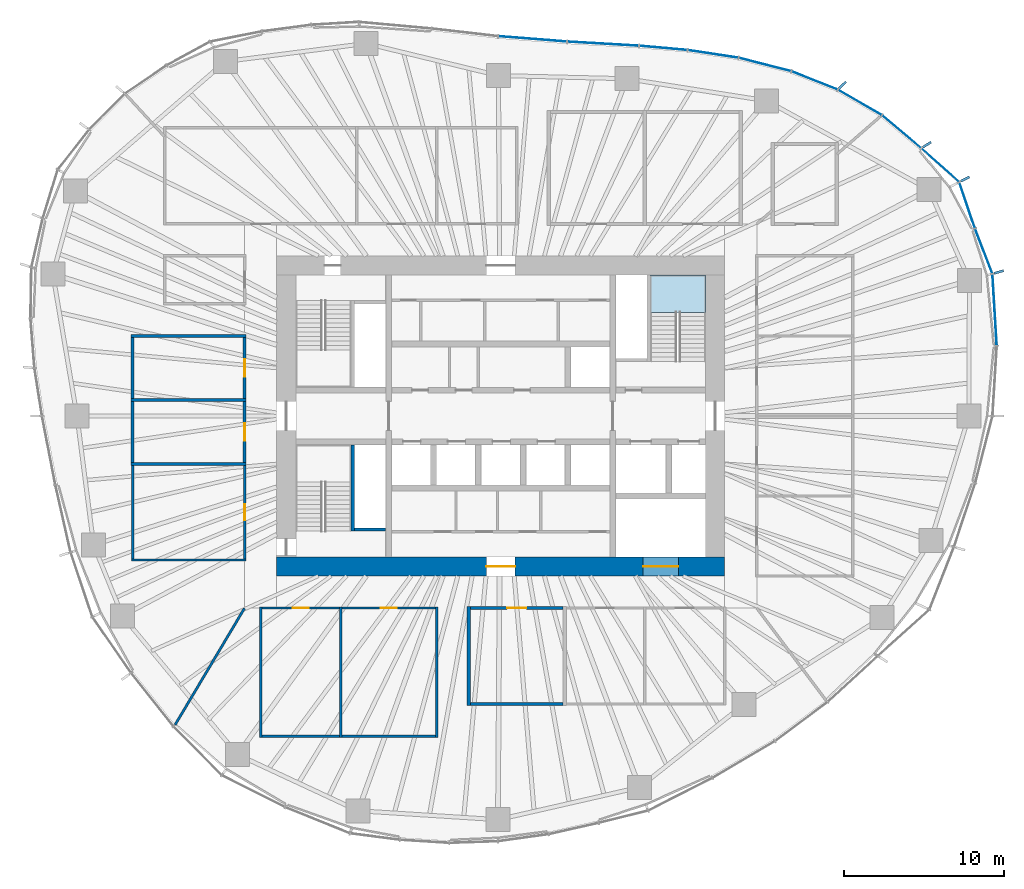
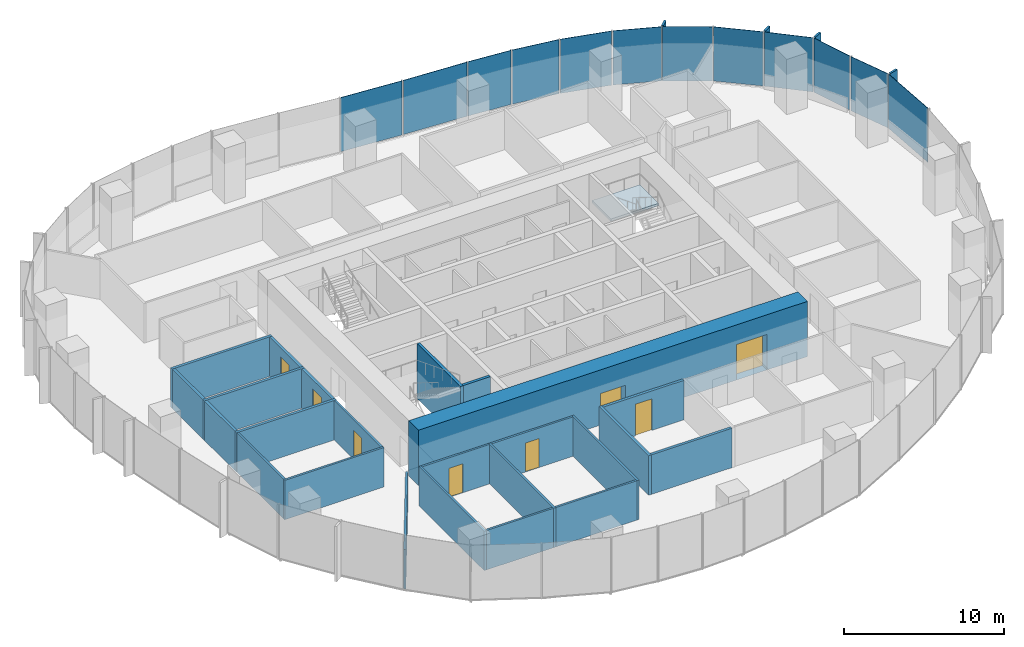
# One storey, part 8 of 18: 24 walls, 16 plates, 8 doors, 1 slab, 8 openings, 6 elements without a shape of their own.
"""IFC4 building model written with IfcOpenShell, lengths in metres."""

import ifcopenshell
import ifcopenshell.guid

model = None  # the IFC model being written
_history = None  # IfcOwnerHistory: only IFC2X3 demands one
_inside = {}  # id of a spatial element -> (the spatial element, [elements in it])
_under = {}  # id of a project, library or spatial element -> (it, [spatial elements below it])
_declared = {}  # id of a project -> (the project, [libraries it declares])
_typed = {}  # id of a type object -> (the type object, [elements of that type])
_made_of = {}  # id of a material, layer set ... -> (it, [elements and type objects made of it])


def new_model(schema):
    """Start an empty IFC model of exactly this schema.

    Asked for "IFC4X3", IfcOpenShell would pick the latest addendum, in which some entities
    have other attributes; the version numbers below select the first issue.
    IFC2X3 requires an IfcOwnerHistory on every rooted entity: one is made here for all.
    """
    global model, _history
    if schema == "IFC4X3":
        model = ifcopenshell.file(schema_version=(4, 3, 0, 0))
    else:
        model = ifcopenshell.file(schema=schema)
    _inside.clear()
    _under.clear()
    _declared.clear()
    _typed.clear()
    _made_of.clear()
    _history = None
    if model.schema == "IFC2X3":
        org = make("IfcOrganization", Name="unknown")
        user = make(
            "IfcPersonAndOrganization",
            ThePerson=make("IfcPerson", FamilyName="unknown"),
            TheOrganization=org,
        )
        app = make(
            "IfcApplication",
            ApplicationDeveloper=org,
            Version="unknown",
            ApplicationFullName="unknown",
            ApplicationIdentifier="unknown",
        )
        _history = make(
            "IfcOwnerHistory",
            OwningUser=user,
            OwningApplication=app,
            ChangeAction="ADDED",
            CreationDate=0,
        )
    return model


def make(cls, **values):
    """One entity of the class cls with the attributes given. An attribute that is None is left unset."""
    return model.create_entity(
        cls, **{name: value for name, value in values.items() if value is not None}
    )


def rooted(cls, **values):
    """An entity with a GlobalId (a new one), such as an element, a storey or a relation."""
    return make(cls, GlobalId=ifcopenshell.guid.new(), OwnerHistory=_history, **values)


def si_unit(unit_type, name, prefix=None):
    """IfcSIUnit, for example si_unit("LENGTHUNIT", "METRE", prefix="MILLI")."""
    return make("IfcSIUnit", UnitType=unit_type, Prefix=prefix, Name=name)


def assignment(units):
    """IfcUnitAssignment: the units of a project."""
    return None if units is None else make("IfcUnitAssignment", Units=units)


def point(xyz):
    """IfcCartesianPoint."""
    return None if xyz is None else make("IfcCartesianPoint", Coordinates=xyz)


def direction(xyz):
    """IfcDirection."""
    return None if xyz is None else make("IfcDirection", DirectionRatios=xyz)


def frame(location, z_axis=None, x_axis=None):
    """IfcAxis2Placement3D, a coordinate frame: its origin and axes. An axis left out is left unset."""
    return make(
        "IfcAxis2Placement3D",
        Location=point(location),
        Axis=direction(z_axis),
        RefDirection=direction(x_axis),
    )


def frame_2d(location, x_axis=None):
    """IfcAxis2Placement2D, a coordinate frame in the plane: its origin and x axis."""
    return make(
        "IfcAxis2Placement2D", Location=point(location), RefDirection=direction(x_axis)
    )


def origin():
    """The frame at (0, 0, 0) with its axes left unset."""
    return frame((0.0, 0.0, 0.0))


def origin_2d():
    """The frame at (0, 0) in the plane with its x axis left unset."""
    return frame_2d((0.0, 0.0))


def place(relative_to, where):
    """IfcLocalPlacement: puts the frame where relative to a parent placement (None: the world)."""
    return make(
        "IfcLocalPlacement", PlacementRelTo=relative_to, RelativePlacement=where
    )


def context(
    kind, dimensions, precision=None, world=None, true_north=None, identifier=None
):
    """IfcGeometricRepresentationContext, for example the 3D "Model" context."""
    return make(
        "IfcGeometricRepresentationContext",
        ContextIdentifier=identifier,
        ContextType=kind,
        CoordinateSpaceDimension=dimensions,
        Precision=precision,
        WorldCoordinateSystem=world,
        TrueNorth=true_north,
    )


def subcontext(parent, identifier, kind, view, scale=None):
    """IfcGeometricRepresentationSubContext, for example "Body" below "Model"."""
    return make(
        "IfcGeometricRepresentationSubContext",
        ContextIdentifier=identifier,
        ContextType=kind,
        ParentContext=parent,
        TargetScale=scale,
        TargetView=view,
    )


def project(units=None, contexts=None):
    """IfcProject with its units and contexts."""
    return rooted(
        "IfcProject",
        Name="project",
        RepresentationContexts=contexts,
        UnitsInContext=assignment(units),
    )


def spatial(cls, under=None, at=None, **own):
    """A site, building, storey or space (cls), placed at a placement, below another one or the project."""
    s = rooted(cls, ObjectPlacement=at, **own)
    if under is not None:
        _under.setdefault(under.id(), (under, []))[1].append(s)
    return s


def polyline(points):
    """IfcPolyline through the points."""
    return make("IfcPolyline", Points=[point(p) for p in points])


def profile(cls, at=None, kind="AREA", **sizes):
    """A parametric profile (cls). Its sizes go by their IFC names, for example OverallWidth=200.0."""
    return make(cls, ProfileType=kind, Position=at, **sizes)


def rectangle(**sizes):
    """IfcRectangleProfileDef."""
    return profile("IfcRectangleProfileDef", **sizes)


def outline(outer, holes=None, kind="AREA"):
    """IfcArbitraryClosedProfileDef: a profile drawn as a closed curve; with holes, ...WithVoids."""
    if holes is None:
        return make("IfcArbitraryClosedProfileDef", ProfileType=kind, OuterCurve=outer)
    return make(
        "IfcArbitraryProfileDefWithVoids",
        ProfileType=kind,
        OuterCurve=outer,
        InnerCurves=holes,
    )


def extrude(swept, where, along, depth):
    """IfcExtrudedAreaSolid: the profile swept, set in the frame where, extruded along a direction by depth."""
    return make(
        "IfcExtrudedAreaSolid",
        SweptArea=swept,
        Position=where,
        ExtrudedDirection=direction(along),
        Depth=depth,
    )


def shape(context_of_items, identifier, shape_type, items):
    """IfcShapeRepresentation: the items that make up one representation, for example the "Body"."""
    return make(
        "IfcShapeRepresentation",
        ContextOfItems=context_of_items,
        RepresentationIdentifier=identifier,
        RepresentationType=shape_type,
        Items=items,
    )


def material(Name=None, Category=None):
    """IfcMaterial."""
    return make("IfcMaterial", Name=Name, Category=Category)


def layer(
    of_material, thickness, ventilated=None, Name=None, Category=None, Priority=None
):
    """IfcMaterialLayer: one layer of a wall or slab, of a material (None: an air gap)."""
    return make(
        "IfcMaterialLayer",
        Material=of_material,
        LayerThickness=thickness,
        IsVentilated=ventilated,
        Name=Name,
        Category=Category,
        Priority=Priority,
    )


def layer_set(layers, Name=None):
    """IfcMaterialLayerSet."""
    return make("IfcMaterialLayerSet", MaterialLayers=layers, LayerSetName=Name)


def made_of(thing, what):
    """Note that an element or type object is made of a material, layer set ...; save() writes the relation."""
    if what is not None:
        _made_of.setdefault(what.id(), (what, []))[1].append(thing)
    return thing


def type_object(cls, material=None, **own):
    """A type object (cls), such as IfcWallType, which elements share."""
    return made_of(rooted(cls, **own), material)


def element(
    cls,
    number,
    at=None,
    inside=None,
    cuts=None,
    type_object=None,
    material=None,
    context=None,
    identifier="Body",
    shape_type=None,
    held_by="IfcProductDefinitionShape",
    body=None,
    shapes=None,
    **own,
):
    """One element of the class cls, such as IfcWall. Its Tag is "e" and its number.

    at: its placement. inside: the storey or other place that contains it. cuts: it is an
    opening in that element (IfcRelVoidsElement). A single representation is given by context,
    identifier, shape_type and body (its items); several are given by shapes. held_by: the class
    of the entity that holds the representations. save() writes the other relations.
    """
    e = rooted(cls, Tag="e%d" % number, ObjectPlacement=at, **own)
    if body is not None:
        shapes = [shape(context, identifier, shape_type, body)]
    if shapes is not None:
        e.Representation = make(held_by, Representations=shapes)
    if inside is not None:
        _inside.setdefault(inside.id(), (inside, []))[1].append(e)
    if cuts is not None:
        rooted(
            "IfcRelVoidsElement", RelatingBuildingElement=cuts, RelatedOpeningElement=e
        )
    if type_object is not None:
        _typed.setdefault(type_object.id(), (type_object, []))[1].append(e)
    return made_of(e, material)


def fill(opening, filler):
    """IfcRelFillsElement: the door or window that sits in an opening."""
    return rooted(
        "IfcRelFillsElement",
        RelatingOpeningElement=opening,
        RelatedBuildingElement=filler,
    )


def aggregate(whole, parts):
    """IfcRelAggregates: a whole, such as a stair, and the parts it consists of."""
    return rooted("IfcRelAggregates", RelatingObject=whole, RelatedObjects=parts)


def save(model, path):
    """Write the relations noted so far, then the file.

    IfcRelAggregates (storeys below a building ...), IfcRelContainedInSpatialStructure (elements
    in a storey), IfcRelDefinesByType, IfcRelAssociatesMaterial and IfcRelDeclares: one each for
    every whole, place, type object, material and project.
    """
    for whole, parts in _under.values():
        aggregate(whole, parts)
    for where, things in _inside.values():
        rooted(
            "IfcRelContainedInSpatialStructure",
            RelatedElements=things,
            RelatingStructure=where,
        )
    for kind, things in _typed.values():
        rooted("IfcRelDefinesByType", RelatedObjects=things, RelatingType=kind)
    for what, things in _made_of.values():
        rooted("IfcRelAssociatesMaterial", RelatedObjects=things, RelatingMaterial=what)
    for by, libraries in _declared.values():
        rooted("IfcRelDeclares", RelatingContext=by, RelatedDefinitions=libraries)
    model.write(path)


model = new_model("IFC4")

# Units and contexts
model_context = context("Model", 3, precision=1e-05, world=origin(), true_north=direction((0.0, 1.0)))
body_context = subcontext(model_context, "Body", "Model", "MODEL_VIEW")
ifc_project = project(units=[si_unit("LENGTHUNIT", "METRE"), si_unit("AREAUNIT", "SQUARE_METRE"), si_unit("VOLUMEUNIT", "CUBIC_METRE"), si_unit("PLANEANGLEUNIT", "RADIAN"), si_unit("MASSUNIT", "GRAM", prefix="KILO")], contexts=[model_context])

# Site, building, storey
site_placement = place(None, origin())
site = spatial("IfcSite", under=ifc_project, at=site_placement, CompositionType="ELEMENT")
building_placement = place(site_placement, origin())
building = spatial("IfcBuilding", under=site, at=building_placement, Name="Ghaith Harvest Tower", CompositionType="ELEMENT")
storey_placement = place(building_placement, frame((0.0, 0.0, 130.199951171875)))
storey = spatial("IfcBuildingStorey", under=building, at=storey_placement, Name="L27", CompositionType="ELEMENT", Elevation=130.199951171875)

# Curtain wall, plate
ifc_material_1 = material(Name="Black anodised aluminium and fritted glass", Category="aluminium")
curtain_wall_type = type_object("IfcCurtainWallType", Name="CW-L CURTAIN WALL", PredefinedType="NOTDEFINED", material=ifc_material_1)
curtain_wall_1_placement = place(storey_placement, origin())
curtain_wall_1 = element("IfcCurtainWall", 1, at=curtain_wall_1_placement, inside=storey, type_object=curtain_wall_type, Name="Curtain wall CW-L bay 01 L27", PredefinedType="NOTDEFINED")
ifc_material_2 = material(Name="Glass, dark solar-control fritted double glazed unit", Category="glass")
ifc_layer_1 = layer(ifc_material_2, 0.031982421875)
ifc_layer_set_1 = layer_set([ifc_layer_1], Name="CW-L VISION PANEL")
plate_type_1 = type_object("IfcPlateType", Name="CW-L VISION PANEL", PredefinedType="CURTAIN_PANEL", material=ifc_layer_set_1)
plate_1_placement = place(storey_placement, frame((30.863037109375, 6.63525390625, 0.080078125), z_axis=(0.0, 0.0, 1.0), x_axis=(-0.060320650032, 0.998179051663, 0.0)))
plate_1 = element("IfcPlate", 2, at=plate_1_placement, type_object=plate_type_1, Name="CW-L glass unit 2 bay 01 L27", PredefinedType="CURTAIN_PANEL", context=body_context, shape_type="SweptSolid", body=[
    extrude(rectangle(XDim=4.419189453125, YDim=0.031982421875, at=origin_2d()), origin(), (0.0, 0.0, 1.0), 4.1201171875),
])
aggregate(curtain_wall_1, [plate_1])

# Curtain wall, plates
curtain_wall_2_placement = place(storey_placement, origin())
curtain_wall_2 = element("IfcCurtainWall", 3, at=curtain_wall_2_placement, inside=storey, type_object=curtain_wall_type, Name="Curtain wall CW-L bay 02 L27", PredefinedType="NOTDEFINED")
plate_2_placement = place(storey_placement, frame((30.180908203125, 10.29833984375, 0.080078125), z_axis=(0.0, 0.0, 1.0), x_axis=(-0.359676824997, 0.933076943001, 0.0)))
plate_2 = element("IfcPlate", 4, at=plate_2_placement, type_object=plate_type_1, Name="CW-L glass unit 1 bay 02 L27", PredefinedType="CURTAIN_PANEL", context=body_context, shape_type="SweptSolid", body=[
    extrude(rectangle(XDim=2.95849609375, YDim=0.031982421875, at=origin_2d()), origin(), (0.0, 0.0, 1.0), 4.1201171875),
])
plate_3_placement = place(storey_placement, frame((29.142333984375, 13.163818359375, 0.080078125), z_axis=(0.0, 0.0, 1.0), x_axis=(-0.321853304376, 0.946789549194, 0.0)))
plate_3 = element("IfcPlate", 5, at=plate_3_placement, type_object=plate_type_1, Name="CW-L glass unit 2 bay 02 L27", PredefinedType="CURTAIN_PANEL", context=body_context, shape_type="SweptSolid", body=[
    extrude(rectangle(XDim=2.978759765625, YDim=0.031982421875, at=origin_2d()), origin(), (0.0, 0.0, 1.0), 4.1201171875),
])
plate_4_placement = place(storey_placement, frame((27.46533203125, 15.668701171875, 0.080078125), z_axis=(0.0, 0.0, 1.0), x_axis=(-0.746250544556, 0.665665174656, 0.0)))
plate_4 = element("IfcPlate", 6, at=plate_4_placement, type_object=plate_type_1, Name="CW-L glass unit 3 bay 02 L27", PredefinedType="CURTAIN_PANEL", context=body_context, shape_type="SweptSolid", body=[
    extrude(rectangle(XDim=3.094970703125, YDim=0.031982421875, at=origin_2d()), origin(), (0.0, 0.0, 1.0), 4.1201171875),
])
aggregate(curtain_wall_2, [plate_2, plate_3, plate_4])

curtain_wall_3_placement = place(storey_placement, origin())
curtain_wall_3 = element("IfcCurtainWall", 7, at=curtain_wall_3_placement, inside=storey, type_object=curtain_wall_type, Name="Curtain wall CW-L bay 03 L27", PredefinedType="NOTDEFINED")
plate_5_placement = place(storey_placement, frame((25.05126953125, 17.7587890625, 0.080078125), z_axis=(0.0, 0.0, 1.0), x_axis=(-0.765473064857, 0.643467937801, 0.0)))
plate_5 = element("IfcPlate", 8, at=plate_5_placement, type_object=plate_type_1, Name="CW-L glass unit 1 bay 03 L27", PredefinedType="CURTAIN_PANEL", context=body_context, shape_type="SweptSolid", body=[
    extrude(rectangle(XDim=3.13232421875, YDim=0.031982421875, at=origin_2d()), origin(), (0.0, 0.0, 1.0), 4.1201171875),
])
plate_6_placement = place(storey_placement, frame((22.444091796875, 19.590576171875, 0.080078125), z_axis=(0.0, 0.0, 1.0), x_axis=(-0.865232087993, 0.501371552751, 0.0)))
plate_6 = element("IfcPlate", 9, at=plate_6_placement, type_object=plate_type_1, Name="CW-L glass unit 2 bay 03 L27", PredefinedType="CURTAIN_PANEL", context=body_context, shape_type="SweptSolid", body=[
    extrude(rectangle(XDim=3.10498046875, YDim=0.031982421875, at=origin_2d()), origin(), (0.0, 0.0, 1.0), 4.1201171875),
])
plate_7_placement = place(storey_placement, frame((19.6142578125, 20.963623046875, 0.080078125), z_axis=(0.0, 0.0, 1.0), x_axis=(-0.929876534019, 0.367871759558, 0.0)))
plate_7 = element("IfcPlate", 10, at=plate_7_placement, type_object=plate_type_1, Name="CW-L glass unit 3 bay 03 L27", PredefinedType="CURTAIN_PANEL", context=body_context, shape_type="SweptSolid", body=[
    extrude(rectangle(XDim=3.042724609375, YDim=0.031982421875, at=origin_2d()), origin(), (0.0, 0.0, 1.0), 4.1201171875),
])
aggregate(curtain_wall_3, [plate_5, plate_6, plate_7])

curtain_wall_4_placement = place(storey_placement, origin())
curtain_wall_4 = element("IfcCurtainWall", 11, at=curtain_wall_4_placement, inside=storey, type_object=curtain_wall_type, Name="Curtain wall CW-L bay 04 L27", PredefinedType="NOTDEFINED")
plate_8_placement = place(storey_placement, frame((16.513427734375, 21.958740234375, 0.080078125), z_axis=(0.0, 0.0, 1.0), x_axis=(-0.96893110987, 0.247330758955, 0.0)))
plate_8 = element("IfcPlate", 12, at=plate_8_placement, type_object=plate_type_1, Name="CW-L glass unit 1 bay 04 L27", PredefinedType="CURTAIN_PANEL", context=body_context, shape_type="SweptSolid", body=[
    extrude(rectangle(XDim=3.3232421875, YDim=0.031982421875, at=origin_2d()), origin(), (0.0, 0.0, 1.0), 4.1201171875),
])
plate_9_placement = place(storey_placement, frame((13.2685546875, 22.621826171875, 0.080078125), z_axis=(0.0, 0.0, 1.0), x_axis=(-0.988678736369, 0.150047846542, 0.0)))
plate_9 = element("IfcPlate", 13, at=plate_9_placement, type_object=plate_type_1, Name="CW-L glass unit 2 bay 04 L27", PredefinedType="CURTAIN_PANEL", context=body_context, shape_type="SweptSolid", body=[
    extrude(rectangle(XDim=3.14892578125, YDim=0.031982421875, at=origin_2d()), origin(), (0.0, 0.0, 1.0), 4.1201171875),
])
plate_10_placement = place(storey_placement, frame((10.15966796875, 22.9970703125, 0.080078125), z_axis=(0.0, 0.0, 1.0), x_axis=(-0.996166190972, 0.087480969151, 0.0)))
plate_10 = element("IfcPlate", 14, at=plate_10_placement, type_object=plate_type_1, Name="CW-L glass unit 3 bay 04 L27", PredefinedType="CURTAIN_PANEL", context=body_context, shape_type="SweptSolid", body=[
    extrude(rectangle(XDim=2.957275390625, YDim=0.031982421875, at=origin_2d()), origin(), (0.0, 0.0, 1.0), 4.1201171875),
])
aggregate(curtain_wall_4, [plate_8, plate_9, plate_10])

curtain_wall_5_placement = place(storey_placement, origin())
curtain_wall_5 = element("IfcCurtainWall", 15, at=curtain_wall_5_placement, inside=storey, type_object=curtain_wall_type, Name="Curtain wall CW-L bay 05 L27", PredefinedType="NOTDEFINED")
plate_11_placement = place(storey_placement, frame((6.396728515625, 23.260498046875, 0.080078125), z_axis=(0.0, 0.0, 1.0), x_axis=(-0.998320798751, 0.05792739233, 0.0)))
plate_11 = element("IfcPlate", 16, at=plate_11_placement, type_object=plate_type_1, Name="CW-L glass unit 1 bay 05 L27", PredefinedType="CURTAIN_PANEL", context=body_context, shape_type="SweptSolid", body=[
    extrude(rectangle(XDim=4.427734375, YDim=0.031982421875, at=origin_2d()), origin(), (0.0, 0.0, 1.0), 4.1201171875),
])
plate_12_placement = place(storey_placement, frame((1.9921875, 23.560302734375, 0.080078125), z_axis=(0.0, 0.0, 1.0), x_axis=(-0.996925121312, 0.078360082291, 0.0)))
plate_12 = element("IfcPlate", 17, at=plate_12_placement, type_object=plate_type_1, Name="CW-L glass unit 2 bay 05 L27", PredefinedType="CURTAIN_PANEL", context=body_context, shape_type="SweptSolid", body=[
    extrude(rectangle(XDim=4.242431640625, YDim=0.031982421875, at=origin_2d()), origin(), (0.0, 0.0, 1.0), 4.1201171875),
])
aggregate(curtain_wall_5, [plate_11, plate_12])

# Stair, slab
ifc_material_3 = material(Name="Concrete C40/50, precast", Category="concrete")
stair_type = type_object("IfcStairType", Name="CORE STAIR 24R", PredefinedType="HALF_TURN_STAIR", material=ifc_material_3)
stair_placement = place(storey_placement, origin())
stair = element("IfcStair", 18, at=stair_placement, inside=storey, type_object=stair_type, Name="Stair ST2 L27", PredefinedType="HALF_TURN_STAIR")
ifc_material_4 = material(Name="Concrete C40/50, precast", Category="concrete")
ifc_layer_2 = layer(ifc_material_4, 0.179931640625)
ifc_layer_set_2 = layer_set([ifc_layer_2], Name="STAIR LANDING 180")
slab_type = type_object("IfcSlabType", Name="STAIR LANDING 180", PredefinedType="LANDING", material=ifc_layer_set_2)
slab_placement = place(storey_placement, frame((0.0, 0.0, 1.920166015625)))
slab = element("IfcSlab", 19, at=slab_placement, type_object=slab_type, Name="ST2 landing 1", PredefinedType="LANDING", context=body_context, shape_type="SweptSolid", body=[
    extrude(outline(polyline([(12.800048828125, 6.4599609375), (12.800048828125, 8.800048828125), (9.35009765625, 8.800048828125), (9.35009765625, 6.4599609375), (12.800048828125, 6.4599609375)])), origin(), (0.0, 0.0, 1.0), 0.179931640625),
])
aggregate(stair, [slab])

# Plates
ifc_material_5 = material(Name="Glassfibre-reinforced concrete", Category="concrete")
ifc_layer_3 = layer(ifc_material_5, 0.14990234375)
ifc_layer_set_3 = layer_set([ifc_layer_3], Name="SUN-BREAKER FIN 600x150")
plate_type_2 = type_object("IfcPlateType", Name="SUN-BREAKER FIN 600x150", PredefinedType="USERDEFINED", material=ifc_layer_set_3)
for number, where, z_axis, x_axis, name in (
    (20, (31.130859375, 8.99755859375, 0.0), (0.0, 0.0, 1.0), (0.960680349985, 0.277656739792, 0.0), "Sun-breaker fin CW-L 1 bay 02 L27"),
    (21, (29.024169921875, 14.802734375, 0.0), (0.0, 0.0, 1.0), (0.890830752257, 0.454335306611, 0.0), "Sun-breaker fin CW-L 3 bay 02 L27"),
    (22, (26.635009765625, 16.95068359375, 0.0), (0.0, 0.0, 1.0), (0.843643971464, 0.536903016766, 0.0), "Sun-breaker fin CW-L 1 bay 03 L27"),
    (23, (21.367919921875, 20.68115234375, 0.0), (0.0, 0.0, 1.0), (0.7185589652, 0.69546604053, 0.0), "Sun-breaker fin CW-L 3 bay 03 L27"),
):
    element("IfcPlate", number, at=place(storey_placement, frame(where, z_axis=z_axis, x_axis=x_axis)), inside=storey, type_object=plate_type_2, Name=name, ObjectType="SUN-BREAKER FIN", PredefinedType="USERDEFINED", context=body_context, shape_type="SweptSolid", body=[
        extrude(rectangle(XDim=0.60009765625, YDim=0.14990234375, at=origin_2d()), origin(), (0.0, 0.0, 1.0), 4.199951171875),
    ])

# Wall
ifc_material_6 = material(Name="Twin-stud gypsum board, acoustic", Category="gypsum")
ifc_layer_4 = layer(ifc_material_6, 0.199951171875)
ifc_layer_set_4 = layer_set([ifc_layer_4], Name="ACOUSTIC PARTITION 200")
wall_type_1 = type_object("IfcWallType", Name="ACOUSTIC PARTITION 200", PredefinedType="PARTITIONING", material=ifc_layer_set_4)
wall_1_placement = place(storey_placement, frame((-2.0, -11.89990234375, 0.0), z_axis=(0.0, 0.0, 1.0), x_axis=(0.0, -1.0, 0.0)))
element("IfcWall", 24, at=wall_1_placement, inside=storey, type_object=wall_type_1, Name="Partition L27 row S5 cross wall 1", PredefinedType="PARTITIONING", context=body_context, shape_type="SweptSolid", body=[
    extrude(rectangle(XDim=6.2001953125, YDim=0.199951171875, at=frame_2d((3.10009765625, 0.0))), origin(), (0.0, 0.0, 1.0), 3.0),
])

# Wall, opening, door
wall_2_placement = place(storey_placement, frame((-1.89990234375, -12.0, 0.0), z_axis=(0.0, 0.0, 1.0), x_axis=(1.0, 0.0, 0.0)))
wall_2 = element("IfcWall", 25, at=wall_2_placement, inside=storey, type_object=wall_type_1, Name="Partition L27-12", PredefinedType="PARTITIONING", context=body_context, shape_type="SweptSolid", body=[
    extrude(rectangle(XDim=5.7998046875, YDim=0.199951171875, at=frame_2d((2.89990234375, 0.0))), origin(), (0.0, 0.0, 1.0), 3.0),
])
opening_1_placement = place(wall_2_placement, frame((2.300048828125, 0.0, 0.0)))
opening_1 = element("IfcOpeningElement", 26, at=opening_1_placement, cuts=wall_2, Name="Opening 27-039", PredefinedType="OPENING", context=body_context, shape_type="SweptSolid", body=[
    extrude(rectangle(XDim=1.199951171875, YDim=2.39990234375, at=frame_2d((0.60009765625, 1.199951171875))), frame((0.0, 0.10986328125, 0.0), z_axis=(0.0, -1.0, 0.0), x_axis=(1.0, 0.0, 0.0)), (0.0, 0.0, 1.0), 0.219970703125),
])
ifc_material_7 = material(Name="Timber door", Category="wood")
door_type_1 = type_object("IfcDoorType", Name="D11 GLAZED 1200x2400", OperationType="SINGLE_SWING_LEFT", PredefinedType="DOOR", material=ifc_material_7)
door_1_placement = place(opening_1_placement, origin())
door_1 = element("IfcDoor", 27, at=door_1_placement, inside=storey, type_object=door_type_1, Name="Meeting room door", OperationType="SINGLE_SWING_LEFT", OverallHeight=2.39990234375, OverallWidth=1.199951171875, PredefinedType="DOOR", context=body_context, shape_type="SweptSolid", body=[
    extrude(rectangle(XDim=1.199951171875, YDim=2.39990234375, at=frame_2d((0.60009765625, 1.199951171875))), frame((0.0, 0.02490234375, 0.0), z_axis=(0.0, -1.0, 0.0), x_axis=(1.0, 0.0, 0.0)), (0.0, 0.0, 1.0), 0.050048828125),
])
fill(opening_1, door_1)

# Walls
wall_3_placement = place(storey_placement, frame((-1.89990234375, -18.0, 0.0), z_axis=(0.0, 0.0, 1.0), x_axis=(1.0, 0.0, 0.0)))
element("IfcWall", 28, at=wall_3_placement, inside=storey, type_object=wall_type_1, Name="Partition L27-12", PredefinedType="PARTITIONING", context=body_context, shape_type="SweptSolid", body=[
    extrude(rectangle(XDim=5.7998046875, YDim=0.199951171875, at=frame_2d((2.89990234375, 0.0))), origin(), (0.0, 0.0, 1.0), 3.0),
])
for number, where, z_axis, x_axis, name in (
    (29, (-15.89990234375, -3.0, 0.0), (0.0, 0.0, 1.0), (-1.0, 0.0, 0.0), "Partition L27 row W6 cross wall 2"),
    (30, (-15.89990234375, 1.0, 0.0), (0.0, 0.0, 1.0), (-1.0, 0.0, 0.0), "Partition L27 row W6 cross wall 3"),
    (31, (-15.89990234375, 5.0, 0.0), (0.0, 0.0, 1.0), (-1.0, 0.0, 0.0), "Partition L27 row W6 cross wall 4"),
):
    element("IfcWall", number, at=place(storey_placement, frame(where, z_axis=z_axis, x_axis=x_axis)), inside=storey, type_object=wall_type_1, Name=name, PredefinedType="PARTITIONING", context=body_context, shape_type="SweptSolid", body=[
        extrude(rectangle(XDim=7.2001953125, YDim=0.199951171875, at=frame_2d((3.60009765625, 0.0))), origin(), (0.0, 0.0, 1.0), 3.0),
    ])

# Wall, opening, door
wall_4_placement = place(storey_placement, frame((-16.0, -2.89990234375, 0.0), z_axis=(0.0, 0.0, 1.0), x_axis=(0.0, 1.0, 0.0)))
wall_4 = element("IfcWall", 32, at=wall_4_placement, inside=storey, type_object=wall_type_1, Name="Partition L27-16", PredefinedType="PARTITIONING", context=body_context, shape_type="SweptSolid", body=[
    extrude(rectangle(XDim=3.7998046875, YDim=0.199951171875, at=frame_2d((1.89990234375, 0.0))), origin(), (0.0, 0.0, 1.0), 3.0),
])
opening_2_placement = place(wall_4_placement, frame((1.35009765625, 0.0, 0.0)))
opening_2 = element("IfcOpeningElement", 33, at=opening_2_placement, cuts=wall_4, Name="Opening 27-043", PredefinedType="OPENING", context=body_context, shape_type="SweptSolid", body=[
    extrude(rectangle(XDim=1.10009765625, YDim=2.300048828125, at=frame_2d((0.550048828125, 1.14990234375))), frame((0.0, 0.10986328125, 0.0), z_axis=(0.0, -1.0, 0.0), x_axis=(1.0, 0.0, 0.0)), (0.0, 0.0, 1.0), 0.219970703125),
])
ifc_material_8 = material(Name="Timber-framed glazed door", Category="wood")
door_type_2 = type_object("IfcDoorType", Name="D12 GLAZED OFFICE 1100x2300", OperationType="SINGLE_SWING_LEFT", PredefinedType="DOOR", material=ifc_material_8)
door_2_placement = place(opening_2_placement, origin())
door_2 = element("IfcDoor", 34, at=door_2_placement, inside=storey, type_object=door_type_2, Name="Quiet room door", OperationType="SINGLE_SWING_LEFT", OverallHeight=2.300048828125, OverallWidth=1.10009765625, PredefinedType="DOOR", context=body_context, shape_type="SweptSolid", body=[
    extrude(rectangle(XDim=1.10009765625, YDim=2.300048828125, at=frame_2d((0.550048828125, 1.14990234375))), frame((0.0, 0.02490234375, 0.0), z_axis=(0.0, -1.0, 0.0), x_axis=(1.0, 0.0, 0.0)), (0.0, 0.0, 1.0), 0.050048828125),
])
fill(opening_2, door_2)

# Wall
wall_5_placement = place(storey_placement, frame((-23.0, -2.89990234375, 0.0), z_axis=(0.0, 0.0, 1.0), x_axis=(0.0, 1.0, 0.0)))
element("IfcWall", 35, at=wall_5_placement, inside=storey, type_object=wall_type_1, Name="Partition L27-16", PredefinedType="PARTITIONING", context=body_context, shape_type="SweptSolid", body=[
    extrude(rectangle(XDim=3.7998046875, YDim=0.199951171875, at=frame_2d((1.89990234375, 0.0))), origin(), (0.0, 0.0, 1.0), 3.0),
])

# Wall, opening, door
wall_6_placement = place(storey_placement, frame((-16.0, 1.10009765625, 0.0), z_axis=(0.0, 0.0, 1.0), x_axis=(0.0, 1.0, 0.0)))
wall_6 = element("IfcWall", 36, at=wall_6_placement, inside=storey, type_object=wall_type_1, Name="Partition L27-17", PredefinedType="PARTITIONING", context=body_context, shape_type="SweptSolid", body=[
    extrude(rectangle(XDim=3.7998046875, YDim=0.199951171875, at=frame_2d((1.89990234375, 0.0))), origin(), (0.0, 0.0, 1.0), 3.0),
])
opening_3_placement = place(wall_6_placement, frame((1.35009765625, 0.0, 0.0)))
opening_3 = element("IfcOpeningElement", 37, at=opening_3_placement, cuts=wall_6, Name="Opening 27-044", PredefinedType="OPENING", context=body_context, shape_type="SweptSolid", body=[
    extrude(rectangle(XDim=1.10009765625, YDim=2.300048828125, at=frame_2d((0.550048828125, 1.14990234375))), frame((0.0, 0.10986328125, 0.0), z_axis=(0.0, -1.0, 0.0), x_axis=(1.0, 0.0, 0.0)), (0.0, 0.0, 1.0), 0.219970703125),
])
door_3_placement = place(opening_3_placement, origin())
door_3 = element("IfcDoor", 38, at=door_3_placement, inside=storey, type_object=door_type_2, Name="Quiet room door", OperationType="SINGLE_SWING_LEFT", OverallHeight=2.300048828125, OverallWidth=1.10009765625, PredefinedType="DOOR", context=body_context, shape_type="SweptSolid", body=[
    extrude(rectangle(XDim=1.10009765625, YDim=2.300048828125, at=frame_2d((0.550048828125, 1.14990234375))), frame((0.0, 0.02490234375, 0.0), z_axis=(0.0, -1.0, 0.0), x_axis=(1.0, 0.0, 0.0)), (0.0, 0.0, 1.0), 0.050048828125),
])
fill(opening_3, door_3)

# Wall
wall_7_placement = place(storey_placement, frame((-23.0, 1.10009765625, 0.0), z_axis=(0.0, 0.0, 1.0), x_axis=(0.0, 1.0, 0.0)))
element("IfcWall", 39, at=wall_7_placement, inside=storey, type_object=wall_type_1, Name="Partition L27-17", PredefinedType="PARTITIONING", context=body_context, shape_type="SweptSolid", body=[
    extrude(rectangle(XDim=3.7998046875, YDim=0.199951171875, at=frame_2d((1.89990234375, 0.0))), origin(), (0.0, 0.0, 1.0), 3.0),
])

# Wall, openings, doors
ifc_material_9 = material(Name="Concrete C60/75", Category="concrete")
ifc_layer_5 = layer(ifc_material_9, 1.199951171875)
ifc_layer_set_5 = layer_set([ifc_layer_5], Name="CORE WALL CW1200 C60")
wall_type_2 = type_object("IfcWallType", Name="CORE WALL CW1200 C60", PredefinedType="SHEAR", material=ifc_layer_set_5)
wall_8_placement = place(storey_placement, frame((-14.0, -9.39990234375, 0.0), z_axis=(0.0, 0.0, 1.0), x_axis=(1.0, 0.0, 0.0)))
wall_8 = element("IfcWall", 40, at=wall_8_placement, inside=storey, type_object=wall_type_2, Name="Core wall S L27", PredefinedType="SHEAR", context=body_context, shape_type="SweptSolid", body=[
    extrude(rectangle(XDim=28.0, YDim=1.199951171875, at=frame_2d((14.0, 0.0))), origin(), (0.0, 0.0, 1.0), 4.199951171875),
])
opening_4_placement = place(wall_8_placement, frame((13.10009765625, 0.0, 0.0)))
opening_4 = element("IfcOpeningElement", 41, at=opening_4_placement, cuts=wall_8, Name="Opening 27-020", PredefinedType="OPENING", context=body_context, shape_type="SweptSolid", body=[
    extrude(rectangle(XDim=1.800048828125, YDim=2.39990234375, at=frame_2d((0.89990234375, 1.199951171875))), frame((0.0, 0.60986328125, 0.0), z_axis=(0.0, -1.0, 0.0), x_axis=(1.0, 0.0, 0.0)), (0.0, 0.0, 1.0), 1.219970703125),
])
opening_5_placement = place(wall_8_placement, frame((22.89990234375, 0.0, 0.0)))
opening_5 = element("IfcOpeningElement", 42, at=opening_5_placement, cuts=wall_8, Name="Opening 27-027", PredefinedType="OPENING", context=body_context, shape_type="SweptSolid", body=[
    extrude(rectangle(XDim=2.199951171875, YDim=2.699951171875, at=frame_2d((1.10009765625, 1.35009765625))), frame((0.0, 0.60986328125, 0.0), z_axis=(0.0, -1.0, 0.0), x_axis=(1.0, 0.0, 0.0)), (0.0, 0.0, 1.0), 1.219970703125),
])
ifc_material_10 = material(Name="Steel fire door", Category="steel")
door_type_3 = type_object("IfcDoorType", Name="D4 FD90 PAIR 1800x2400", OperationType="DOUBLE_DOOR_SINGLE_SWING", PredefinedType="DOOR", material=ifc_material_10)
door_4_placement = place(opening_4_placement, origin())
door_4 = element("IfcDoor", 43, at=door_4_placement, inside=storey, type_object=door_type_3, Name="Core service corridor doors", OperationType="DOUBLE_DOOR_SINGLE_SWING", OverallHeight=2.39990234375, OverallWidth=1.800048828125, PredefinedType="DOOR", context=body_context, shape_type="SweptSolid", body=[
    extrude(rectangle(XDim=1.800048828125, YDim=2.39990234375, at=frame_2d((0.89990234375, 1.199951171875))), frame((0.0, 0.02490234375, 0.0), z_axis=(0.0, -1.0, 0.0), x_axis=(1.0, 0.0, 0.0)), (0.0, 0.0, 1.0), 0.050048828125),
])
fill(opening_4, door_4)
ifc_material_11 = material(Name="Steel fire door", Category="steel")
door_type_4 = type_object("IfcDoorType", Name="LD3 LANDING 2200x2700", OperationType="DOUBLE_DOOR_SLIDING", PredefinedType="DOOR", material=ifc_material_11)
door_5_placement = place(opening_5_placement, origin())
door_5 = element("IfcDoor", 44, at=door_5_placement, inside=storey, type_object=door_type_4, Name="Landing door, goods lift GL1", OperationType="DOUBLE_DOOR_SLIDING", OverallHeight=2.699951171875, OverallWidth=2.199951171875, PredefinedType="DOOR", context=body_context, shape_type="SweptSolid", body=[
    extrude(rectangle(XDim=2.199951171875, YDim=2.699951171875, at=frame_2d((1.10009765625, 1.35009765625))), frame((0.0, 0.02490234375, 0.0), z_axis=(0.0, -1.0, 0.0), x_axis=(1.0, 0.0, 0.0)), (0.0, 0.0, 1.0), 0.050048828125),
])
fill(opening_5, door_5)

# Walls
ifc_material_12 = material(Name="Gypsum board on steel studs", Category="steel")
ifc_layer_6 = layer(ifc_material_12, 0.14990234375)
ifc_layer_set_6 = layer_set([ifc_layer_6], Name="PARTITION 150")
wall_type_3 = type_object("IfcWallType", Name="PARTITION 150", PredefinedType="PARTITIONING", material=ifc_layer_set_6)
for number, where, z_axis, x_axis, name in (
    (45, (-15.0, -11.925048828125, 0.0), (0.0, 0.0, 1.0), (0.0, -1.0, 0.0), "Partition L27 row S4 cross wall 1"),
    (46, (-10.0, -11.925048828125, 0.0), (0.0, 0.0, 1.0), (0.0, -1.0, 0.0), "Partition L27 row S4 cross wall 2"),
    (47, (-4.0, -11.925048828125, 0.0), (0.0, 0.0, 1.0), (0.0, -1.0, 0.0), "Partition L27 row S4 cross wall 3"),
):
    element("IfcWall", number, at=place(storey_placement, frame(where, z_axis=z_axis, x_axis=x_axis)), inside=storey, type_object=wall_type_3, Name=name, PredefinedType="PARTITIONING", context=body_context, shape_type="SweptSolid", body=[
        extrude(rectangle(XDim=8.14990234375, YDim=0.14990234375, at=frame_2d((4.074951171875, 0.0))), origin(), (0.0, 0.0, 1.0), 3.0),
    ])

# Wall, opening, door
wall_9_placement = place(storey_placement, frame((-14.925048828125, -12.0, 0.0), z_axis=(0.0, 0.0, 1.0), x_axis=(1.0, 0.0, 0.0)))
wall_9 = element("IfcWall", 48, at=wall_9_placement, inside=storey, type_object=wall_type_3, Name="Partition L27-10", PredefinedType="PARTITIONING", context=body_context, shape_type="SweptSolid", body=[
    extrude(rectangle(XDim=4.85009765625, YDim=0.14990234375, at=frame_2d((2.425048828125, 0.0))), origin(), (0.0, 0.0, 1.0), 3.0),
])
opening_6_placement = place(wall_9_placement, frame((1.925048828125, 0.0, 0.0)))
opening_6 = element("IfcOpeningElement", 49, at=opening_6_placement, cuts=wall_9, Name="Opening 27-037", PredefinedType="OPENING", context=body_context, shape_type="SweptSolid", body=[
    extrude(rectangle(XDim=1.0, YDim=2.199951171875, at=frame_2d((0.5, 1.10009765625))), frame((0.0, 0.0849609375, 0.0), z_axis=(0.0, -1.0, 0.0), x_axis=(1.0, 0.0, 0.0)), (0.0, 0.0, 1.0), 0.169921875),
])
ifc_material_13 = material(Name="Timber door", Category="wood")
door_type_5 = type_object("IfcDoorType", Name="D1 SINGLE 1000x2200", OperationType="SINGLE_SWING_LEFT", PredefinedType="DOOR", material=ifc_material_13)
door_6_placement = place(opening_6_placement, origin())
door_6 = element("IfcDoor", 50, at=door_6_placement, inside=storey, type_object=door_type_5, Name="Store door", OperationType="SINGLE_SWING_LEFT", OverallHeight=2.199951171875, OverallWidth=1.0, PredefinedType="DOOR", context=body_context, shape_type="SweptSolid", body=[
    extrude(rectangle(XDim=1.0, YDim=2.199951171875, at=frame_2d((0.5, 1.10009765625))), frame((0.0, 0.02490234375, 0.0), z_axis=(0.0, -1.0, 0.0), x_axis=(1.0, 0.0, 0.0)), (0.0, 0.0, 1.0), 0.050048828125),
])
fill(opening_6, door_6)

# Wall
wall_10_placement = place(storey_placement, frame((-14.925048828125, -20.0, 0.0), z_axis=(0.0, 0.0, 1.0), x_axis=(1.0, 0.0, 0.0)))
element("IfcWall", 51, at=wall_10_placement, inside=storey, type_object=wall_type_3, Name="Partition L27-10", PredefinedType="PARTITIONING", context=body_context, shape_type="SweptSolid", body=[
    extrude(rectangle(XDim=4.85009765625, YDim=0.14990234375, at=frame_2d((2.425048828125, 0.0))), origin(), (0.0, 0.0, 1.0), 3.0),
])

# Wall, opening, door
wall_11_placement = place(storey_placement, frame((-9.925048828125, -12.0, 0.0), z_axis=(0.0, 0.0, 1.0), x_axis=(1.0, 0.0, 0.0)))
wall_11 = element("IfcWall", 52, at=wall_11_placement, inside=storey, type_object=wall_type_3, Name="Partition L27-11", PredefinedType="PARTITIONING", context=body_context, shape_type="SweptSolid", body=[
    extrude(rectangle(XDim=5.85009765625, YDim=0.14990234375, at=frame_2d((2.925048828125, 0.0))), origin(), (0.0, 0.0, 1.0), 3.0),
])
opening_7_placement = place(wall_11_placement, frame((2.425048828125, 0.0, 0.0)))
opening_7 = element("IfcOpeningElement", 53, at=opening_7_placement, cuts=wall_11, Name="Opening 27-038", PredefinedType="OPENING", context=body_context, shape_type="SweptSolid", body=[
    extrude(rectangle(XDim=1.0, YDim=2.199951171875, at=frame_2d((0.5, 1.10009765625))), frame((0.0, 0.0849609375, 0.0), z_axis=(0.0, -1.0, 0.0), x_axis=(1.0, 0.0, 0.0)), (0.0, 0.0, 1.0), 0.169921875),
])
door_7_placement = place(opening_7_placement, origin())
door_7 = element("IfcDoor", 54, at=door_7_placement, inside=storey, type_object=door_type_5, Name="Pantry door", OperationType="SINGLE_SWING_LEFT", OverallHeight=2.199951171875, OverallWidth=1.0, PredefinedType="DOOR", context=body_context, shape_type="SweptSolid", body=[
    extrude(rectangle(XDim=1.0, YDim=2.199951171875, at=frame_2d((0.5, 1.10009765625))), frame((0.0, 0.02490234375, 0.0), z_axis=(0.0, -1.0, 0.0), x_axis=(1.0, 0.0, 0.0)), (0.0, 0.0, 1.0), 0.050048828125),
])
fill(opening_7, door_7)

# Walls
wall_12_placement = place(storey_placement, frame((-9.925048828125, -20.0, 0.0), z_axis=(0.0, 0.0, 1.0), x_axis=(1.0, 0.0, 0.0)))
element("IfcWall", 55, at=wall_12_placement, inside=storey, type_object=wall_type_3, Name="Partition L27-11", PredefinedType="PARTITIONING", context=body_context, shape_type="SweptSolid", body=[
    extrude(rectangle(XDim=5.85009765625, YDim=0.14990234375, at=frame_2d((2.925048828125, 0.0))), origin(), (0.0, 0.0, 1.0), 3.0),
])
wall_13_placement = place(storey_placement, frame((-15.925048828125, -9.0, 0.0), z_axis=(0.0, 0.0, 1.0), x_axis=(-1.0, 0.0, 0.0)))
element("IfcWall", 56, at=wall_13_placement, inside=storey, type_object=wall_type_3, Name="Partition L27 row W6 cross wall 1", PredefinedType="PARTITIONING", context=body_context, shape_type="SweptSolid", body=[
    extrude(rectangle(XDim=7.14990234375, YDim=0.14990234375, at=frame_2d((3.574951171875, 0.0))), origin(), (0.0, 0.0, 1.0), 3.0),
])

# Wall, opening, door
wall_14_placement = place(storey_placement, frame((-16.0, -8.925048828125, 0.0), z_axis=(0.0, 0.0, 1.0), x_axis=(0.0, 1.0, 0.0)))
wall_14 = element("IfcWall", 57, at=wall_14_placement, inside=storey, type_object=wall_type_3, Name="Partition L27-15", PredefinedType="PARTITIONING", context=body_context, shape_type="SweptSolid", body=[
    extrude(rectangle(XDim=5.824951171875, YDim=0.14990234375, at=frame_2d((2.91259765625, 0.0))), origin(), (0.0, 0.0, 1.0), 3.0),
])
opening_8_placement = place(wall_14_placement, frame((2.41259765625, 0.0, 0.0)))
opening_8 = element("IfcOpeningElement", 58, at=opening_8_placement, cuts=wall_14, Name="Opening 27-042", PredefinedType="OPENING", context=body_context, shape_type="SweptSolid", body=[
    extrude(rectangle(XDim=1.0, YDim=2.199951171875, at=frame_2d((0.5, 1.10009765625))), frame((0.0, 0.0849609375, 0.0), z_axis=(0.0, -1.0, 0.0), x_axis=(1.0, 0.0, 0.0)), (0.0, 0.0, 1.0), 0.169921875),
])
door_8_placement = place(opening_8_placement, origin())
door_8 = element("IfcDoor", 59, at=door_8_placement, inside=storey, type_object=door_type_5, Name="Print room door", OperationType="SINGLE_SWING_LEFT", OverallHeight=2.199951171875, OverallWidth=1.0, PredefinedType="DOOR", context=body_context, shape_type="SweptSolid", body=[
    extrude(rectangle(XDim=1.0, YDim=2.199951171875, at=frame_2d((0.5, 1.10009765625))), frame((0.0, 0.02490234375, 0.0), z_axis=(0.0, -1.0, 0.0), x_axis=(1.0, 0.0, 0.0)), (0.0, 0.0, 1.0), 0.050048828125),
])
fill(opening_8, door_8)

# Walls
wall_15_placement = place(storey_placement, frame((-23.0, -8.925048828125, 0.0), z_axis=(0.0, 0.0, 1.0), x_axis=(0.0, 1.0, 0.0)))
element("IfcWall", 60, at=wall_15_placement, inside=storey, type_object=wall_type_3, Name="Partition L27-15", PredefinedType="PARTITIONING", context=body_context, shape_type="SweptSolid", body=[
    extrude(rectangle(XDim=5.824951171875, YDim=0.14990234375, at=frame_2d((2.91259765625, 0.0))), origin(), (0.0, 0.0, 1.0), 3.0),
])
wall_16_placement = place(storey_placement, frame((-16.01025390625, -12.01708984375, 0.0), z_axis=(0.0, 0.0, 1.0), x_axis=(-0.511508688443, -0.85927810495, 0.0)))
element("IfcWall", 61, at=wall_16_placement, inside=storey, type_object=wall_type_3, Name="Partition L27 zone division", PredefinedType="PARTITIONING", context=body_context, shape_type="SweptSolid", body=[
    extrude(rectangle(XDim=8.470458984375, YDim=0.14990234375, at=frame_2d((4.2353515625, 0.0))), origin(), (0.0, 0.0, 1.0), 3.0),
])
ifc_material_14 = material(Name="Concrete C40/50", Category="concrete")
ifc_layer_7 = layer(ifc_material_14, 0.199951171875)
ifc_layer_set_7 = layer_set([ifc_layer_7], Name="STAIR SPINE WALL RC200")
wall_type_4 = type_object("IfcWallType", Name="STAIR SPINE WALL RC200", PredefinedType="SOLIDWALL", material=ifc_layer_set_7)
wall_17_placement = place(storey_placement, frame((-9.25, -7.199951171875, 0.0), z_axis=(0.0, 0.0, 1.0), x_axis=(0.0, 1.0, 0.0)))
element("IfcWall", 62, at=wall_17_placement, inside=storey, type_object=wall_type_4, Name="Stair ST3 spine wall L27", PredefinedType="SOLIDWALL", context=body_context, shape_type="SweptSolid", body=[
    extrude(rectangle(XDim=5.39990234375, YDim=0.199951171875, at=frame_2d((2.699951171875, 0.0))), origin(), (0.0, 0.0, 1.0), 4.199951171875),
])
wall_18_placement = place(storey_placement, frame((-9.14990234375, -7.10009765625, 0.0), z_axis=(0.0, 0.0, 1.0), x_axis=(1.0, 0.0, 0.0)))
element("IfcWall", 63, at=wall_18_placement, inside=storey, type_object=wall_type_4, Name="Stair ST3 spine wall return L27", PredefinedType="SOLIDWALL", context=body_context, shape_type="SweptSolid", body=[
    extrude(rectangle(XDim=1.949951171875, YDim=0.199951171875, at=frame_2d((0.97509765625, 0.0))), origin(), (0.0, 0.0, 1.0), 4.199951171875),
])

save(model, "model.ifc")
